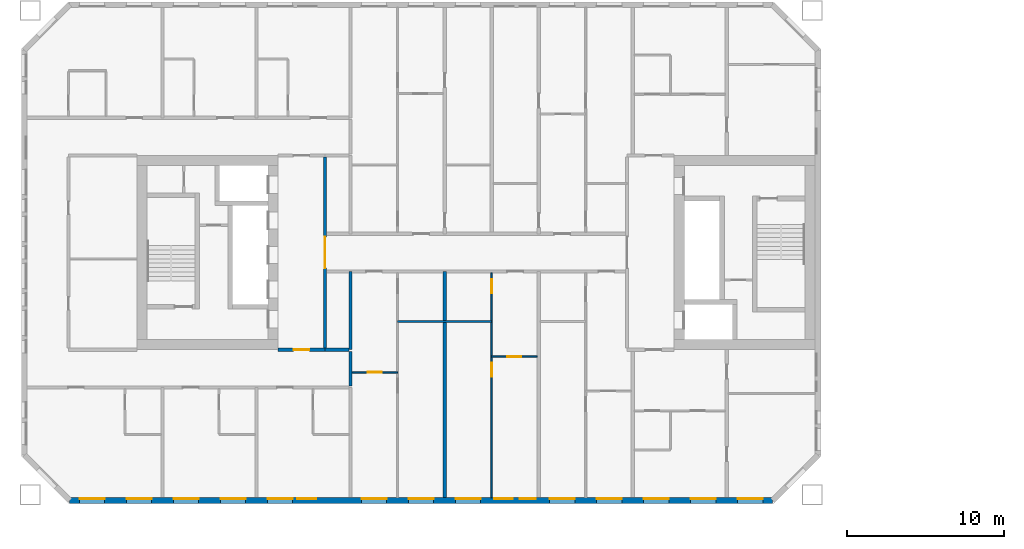
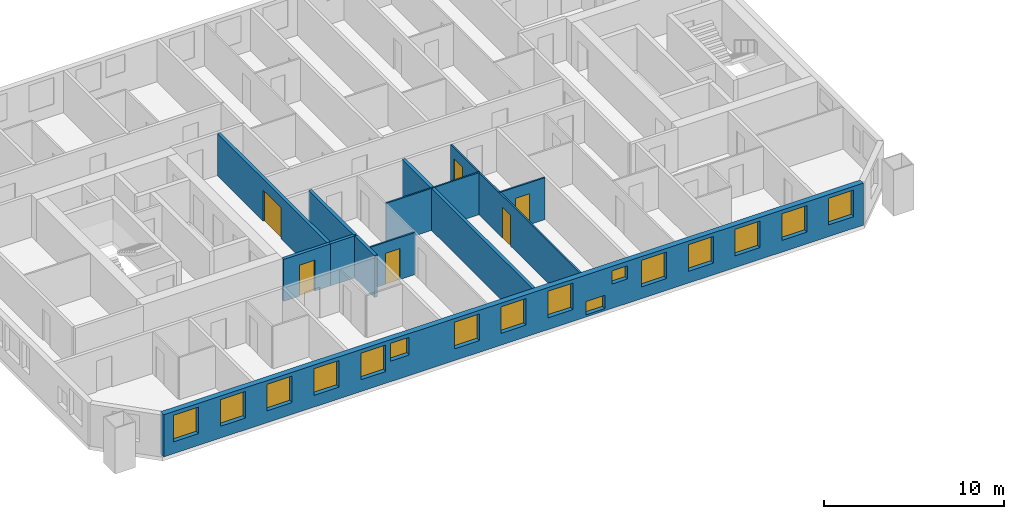
# One storey, part 4 of 17: 16 windows, 11 walls, 6 doors, 22 openings.
"""IFC4 building model written with IfcOpenShell, lengths in metres."""

from ifc_helpers import new_model, si_unit, direction, frame, frame_2d, origin, place, context, subcontext, project, spatial, rectangle, extrude, material, layer, layer_set, type_object, element, fill, save


model = new_model("IFC4")

# Units and contexts
model_context = context("Model", 3, precision=1e-05, world=origin(), true_north=direction((0.0, 1.0)))
body_context = subcontext(model_context, "Body", "Model", "MODEL_VIEW")
ifc_project = project(units=[si_unit("LENGTHUNIT", "METRE"), si_unit("AREAUNIT", "SQUARE_METRE"), si_unit("VOLUMEUNIT", "CUBIC_METRE"), si_unit("PLANEANGLEUNIT", "RADIAN"), si_unit("MASSUNIT", "GRAM", prefix="KILO")], contexts=[model_context])

# Site, building, storey
site_placement = place(None, origin())
site = spatial("IfcSite", under=ifc_project, at=site_placement, CompositionType="ELEMENT")
building_placement = place(site_placement, origin())
building = spatial("IfcBuilding", under=site, at=building_placement, Name="Tuart Gate Housing", CompositionType="ELEMENT")
storey_placement = place(building_placement, frame((0.0, 0.0, 108.800048828125)))
storey = spatial("IfcBuildingStorey", under=building, at=storey_placement, Name="L30", CompositionType="ELEMENT", Elevation=108.800048828125)

# Wall, openings, windows
ifc_material_1 = material(Name="Brick", Category="masonry")
ifc_layer_1 = layer(ifc_material_1, 0.360107421875)
ifc_layer_set_1 = layer_set([ifc_layer_1], Name="Brick pier and spandrel wall 360")
wall_type_1 = type_object("IfcWallType", Name="Brick pier and spandrel wall 360", PredefinedType="STANDARD", material=ifc_layer_set_1)
wall_1_placement = place(storey_placement, frame((28.07470703125, 54.179931640625, 0.0), z_axis=(0.0, 0.0, 1.0), x_axis=(1.0, 0.0, 0.0)))
wall_1 = element("IfcWall", 1, at=wall_1_placement, inside=storey, type_object=wall_type_1, Name="External wall A-S L30", PredefinedType="STANDARD", context=body_context, shape_type="SweptSolid", body=[
    extrude(rectangle(XDim=44.850830078125, YDim=0.360107421875, at=frame_2d((22.42529296875, 0.0))), origin(), (0.0, 0.0, 1.0), 2.849853515625),
])
opening_1_placement = place(wall_1_placement, frame((0.62548828125, 0.0, 0.800048828125)))
opening_1 = element("IfcOpeningElement", 2, at=opening_1_placement, cuts=wall_1, Name="Opening W1", PredefinedType="OPENING", context=body_context, shape_type="SweptSolid", body=[
    extrude(rectangle(XDim=1.60009765625, YDim=1.800048828125, at=frame_2d((0.800048828125, 0.89990234375))), frame((0.0, 0.18994140625, 0.0), z_axis=(0.0, -1.0, 0.0), x_axis=(1.0, 0.0, 0.0)), (0.0, 0.0, 1.0), 0.380126953125),
])
opening_2_placement = place(wall_1_placement, frame((3.62548828125, 0.0, 0.800048828125)))
opening_2 = element("IfcOpeningElement", 3, at=opening_2_placement, cuts=wall_1, Name="Opening W1", PredefinedType="OPENING", context=body_context, shape_type="SweptSolid", body=[
    extrude(rectangle(XDim=1.60009765625, YDim=1.800048828125, at=frame_2d((0.800048828125, 0.89990234375))), frame((0.0, 0.18994140625, 0.0), z_axis=(0.0, -1.0, 0.0), x_axis=(1.0, 0.0, 0.0)), (0.0, 0.0, 1.0), 0.380126953125),
])
opening_3_placement = place(wall_1_placement, frame((6.62548828125, 0.0, 0.800048828125)))
opening_3 = element("IfcOpeningElement", 4, at=opening_3_placement, cuts=wall_1, Name="Opening W1", PredefinedType="OPENING", context=body_context, shape_type="SweptSolid", body=[
    extrude(rectangle(XDim=1.60009765625, YDim=1.800048828125, at=frame_2d((0.800048828125, 0.89990234375))), frame((0.0, 0.18994140625, 0.0), z_axis=(0.0, -1.0, 0.0), x_axis=(1.0, 0.0, 0.0)), (0.0, 0.0, 1.0), 0.380126953125),
])
opening_4_placement = place(wall_1_placement, frame((9.62548828125, 0.0, 0.800048828125)))
opening_4 = element("IfcOpeningElement", 5, at=opening_4_placement, cuts=wall_1, Name="Opening W1", PredefinedType="OPENING", context=body_context, shape_type="SweptSolid", body=[
    extrude(rectangle(XDim=1.60009765625, YDim=1.800048828125, at=frame_2d((0.800048828125, 0.89990234375))), frame((0.0, 0.18994140625, 0.0), z_axis=(0.0, -1.0, 0.0), x_axis=(1.0, 0.0, 0.0)), (0.0, 0.0, 1.0), 0.380126953125),
])
opening_5_placement = place(wall_1_placement, frame((12.62548828125, 0.0, 0.800048828125)))
opening_5 = element("IfcOpeningElement", 6, at=opening_5_placement, cuts=wall_1, Name="Opening W1", PredefinedType="OPENING", context=body_context, shape_type="SweptSolid", body=[
    extrude(rectangle(XDim=1.60009765625, YDim=1.800048828125, at=frame_2d((0.800048828125, 0.89990234375))), frame((0.0, 0.18994140625, 0.0), z_axis=(0.0, -1.0, 0.0), x_axis=(1.0, 0.0, 0.0)), (0.0, 0.0, 1.0), 0.380126953125),
])
opening_6_placement = place(wall_1_placement, frame((14.525390625, 0.0, 1.39990234375)))
opening_6 = element("IfcOpeningElement", 7, at=opening_6_placement, cuts=wall_1, Name="Opening W1N", PredefinedType="OPENING", context=body_context, shape_type="SweptSolid", body=[
    extrude(rectangle(XDim=1.199951171875, YDim=1.199951171875, at=frame_2d((0.60009765625, 0.60009765625))), frame((0.0, 0.18994140625, 0.0), z_axis=(0.0, -1.0, 0.0), x_axis=(1.0, 0.0, 0.0)), (0.0, 0.0, 1.0), 0.380126953125),
])
opening_7_placement = place(wall_1_placement, frame((18.62548828125, 0.0, 0.800048828125)))
opening_7 = element("IfcOpeningElement", 8, at=opening_7_placement, cuts=wall_1, Name="Opening W1", PredefinedType="OPENING", context=body_context, shape_type="SweptSolid", body=[
    extrude(rectangle(XDim=1.60009765625, YDim=1.800048828125, at=frame_2d((0.800048828125, 0.89990234375))), frame((0.0, 0.18994140625, 0.0), z_axis=(0.0, -1.0, 0.0), x_axis=(1.0, 0.0, 0.0)), (0.0, 0.0, 1.0), 0.380126953125),
])
opening_8_placement = place(wall_1_placement, frame((21.62548828125, 0.0, 0.800048828125)))
opening_8 = element("IfcOpeningElement", 9, at=opening_8_placement, cuts=wall_1, Name="Opening W1", PredefinedType="OPENING", context=body_context, shape_type="SweptSolid", body=[
    extrude(rectangle(XDim=1.60009765625, YDim=1.800048828125, at=frame_2d((0.800048828125, 0.89990234375))), frame((0.0, 0.18994140625, 0.0), z_axis=(0.0, -1.0, 0.0), x_axis=(1.0, 0.0, 0.0)), (0.0, 0.0, 1.0), 0.380126953125),
])
opening_9_placement = place(wall_1_placement, frame((24.62548828125, 0.0, 0.800048828125)))
opening_9 = element("IfcOpeningElement", 10, at=opening_9_placement, cuts=wall_1, Name="Opening W1", PredefinedType="OPENING", context=body_context, shape_type="SweptSolid", body=[
    extrude(rectangle(XDim=1.60009765625, YDim=1.800048828125, at=frame_2d((0.800048828125, 0.89990234375))), frame((0.0, 0.18994140625, 0.0), z_axis=(0.0, -1.0, 0.0), x_axis=(1.0, 0.0, 0.0)), (0.0, 0.0, 1.0), 0.380126953125),
])
opening_10_placement = place(wall_1_placement, frame((27.075439453125, 0.0, 0.14990234375)))
opening_10 = element("IfcOpeningElement", 11, at=opening_10_placement, cuts=wall_1, Name="Opening W1T", PredefinedType="OPENING", context=body_context, shape_type="SweptSolid", body=[
    extrude(rectangle(XDim=1.199951171875, YDim=0.89990234375, at=frame_2d((0.60009765625, 0.449951171875))), frame((0.0, 0.18994140625, 0.0), z_axis=(0.0, -1.0, 0.0), x_axis=(1.0, 0.0, 0.0)), (0.0, 0.0, 1.0), 0.380126953125),
])
opening_11_placement = place(wall_1_placement, frame((30.62548828125, 0.0, 0.800048828125)))
opening_11 = element("IfcOpeningElement", 12, at=opening_11_placement, cuts=wall_1, Name="Opening W1", PredefinedType="OPENING", context=body_context, shape_type="SweptSolid", body=[
    extrude(rectangle(XDim=1.60009765625, YDim=1.800048828125, at=frame_2d((0.800048828125, 0.89990234375))), frame((0.0, 0.18994140625, 0.0), z_axis=(0.0, -1.0, 0.0), x_axis=(1.0, 0.0, 0.0)), (0.0, 0.0, 1.0), 0.380126953125),
])
opening_12_placement = place(wall_1_placement, frame((33.62548828125, 0.0, 0.800048828125)))
opening_12 = element("IfcOpeningElement", 13, at=opening_12_placement, cuts=wall_1, Name="Opening W1", PredefinedType="OPENING", context=body_context, shape_type="SweptSolid", body=[
    extrude(rectangle(XDim=1.60009765625, YDim=1.800048828125, at=frame_2d((0.800048828125, 0.89990234375))), frame((0.0, 0.18994140625, 0.0), z_axis=(0.0, -1.0, 0.0), x_axis=(1.0, 0.0, 0.0)), (0.0, 0.0, 1.0), 0.380126953125),
])
opening_13_placement = place(wall_1_placement, frame((36.62548828125, 0.0, 0.800048828125)))
opening_13 = element("IfcOpeningElement", 14, at=opening_13_placement, cuts=wall_1, Name="Opening W1", PredefinedType="OPENING", context=body_context, shape_type="SweptSolid", body=[
    extrude(rectangle(XDim=1.60009765625, YDim=1.800048828125, at=frame_2d((0.800048828125, 0.89990234375))), frame((0.0, 0.18994140625, 0.0), z_axis=(0.0, -1.0, 0.0), x_axis=(1.0, 0.0, 0.0)), (0.0, 0.0, 1.0), 0.380126953125),
])
opening_14_placement = place(wall_1_placement, frame((39.62548828125, 0.0, 0.800048828125)))
opening_14 = element("IfcOpeningElement", 15, at=opening_14_placement, cuts=wall_1, Name="Opening W1", PredefinedType="OPENING", context=body_context, shape_type="SweptSolid", body=[
    extrude(rectangle(XDim=1.60009765625, YDim=1.800048828125, at=frame_2d((0.800048828125, 0.89990234375))), frame((0.0, 0.18994140625, 0.0), z_axis=(0.0, -1.0, 0.0), x_axis=(1.0, 0.0, 0.0)), (0.0, 0.0, 1.0), 0.380126953125),
])
opening_15_placement = place(wall_1_placement, frame((42.62548828125, 0.0, 0.800048828125)))
opening_15 = element("IfcOpeningElement", 16, at=opening_15_placement, cuts=wall_1, Name="Opening W1", PredefinedType="OPENING", context=body_context, shape_type="SweptSolid", body=[
    extrude(rectangle(XDim=1.60009765625, YDim=1.800048828125, at=frame_2d((0.800048828125, 0.89990234375))), frame((0.0, 0.18994140625, 0.0), z_axis=(0.0, -1.0, 0.0), x_axis=(1.0, 0.0, 0.0)), (0.0, 0.0, 1.0), 0.380126953125),
])
opening_16_placement = place(wall_1_placement, frame((28.725341796875, 0.0, 1.64990234375)))
opening_16 = element("IfcOpeningElement", 17, at=opening_16_placement, cuts=wall_1, Name="Opening W1U", PredefinedType="OPENING", context=body_context, shape_type="SweptSolid", body=[
    extrude(rectangle(XDim=1.0, YDim=0.89990234375, at=frame_2d((0.5, 0.449951171875))), frame((0.0, 0.18994140625, 0.0), z_axis=(0.0, -1.0, 0.0), x_axis=(1.0, 0.0, 0.0)), (0.0, 0.0, 1.0), 0.380126953125),
])
ifc_material_2 = material(Name="Aluminium frame with clear glass", Category="aluminium")
window_type_1 = type_object("IfcWindowType", Name="Punched window 1000 x 900", PartitioningType="SINGLE_PANEL", PredefinedType="WINDOW", material=ifc_material_2)
window_1_placement = place(opening_16_placement, origin())
window_1 = element("IfcWindow", 18, at=window_1_placement, inside=storey, type_object=window_type_1, Name="Window W1U", OverallHeight=0.89990234375, OverallWidth=1.0, PartitioningType="SINGLE_PANEL", PredefinedType="WINDOW", context=body_context, shape_type="SweptSolid", body=[
    extrude(rectangle(XDim=1.0, YDim=0.89990234375, at=frame_2d((0.5, 0.449951171875))), frame((0.0, 0.150146484375, 0.0), z_axis=(0.0, -1.0, 0.0), x_axis=(1.0, 0.0, 0.0)), (0.0, 0.0, 1.0), 0.06005859375),
])
fill(opening_16, window_1)
ifc_material_3 = material(Name="Aluminium frame with clear glass", Category="aluminium")
window_type_2 = type_object("IfcWindowType", Name="Punched window 1200 x 1200", PartitioningType="SINGLE_PANEL", PredefinedType="WINDOW", material=ifc_material_3)
window_2_placement = place(opening_6_placement, origin())
window_2 = element("IfcWindow", 19, at=window_2_placement, inside=storey, type_object=window_type_2, Name="Window W1N", OverallHeight=1.199951171875, OverallWidth=1.199951171875, PartitioningType="SINGLE_PANEL", PredefinedType="WINDOW", context=body_context, shape_type="SweptSolid", body=[
    extrude(rectangle(XDim=1.199951171875, YDim=1.199951171875, at=frame_2d((0.60009765625, 0.60009765625))), frame((0.0, 0.150146484375, 0.0), z_axis=(0.0, -1.0, 0.0), x_axis=(1.0, 0.0, 0.0)), (0.0, 0.0, 1.0), 0.06005859375),
])
fill(opening_6, window_2)
ifc_material_4 = material(Name="Aluminium frame with clear glass", Category="aluminium")
window_type_3 = type_object("IfcWindowType", Name="Punched window 1200 x 900", PartitioningType="SINGLE_PANEL", PredefinedType="WINDOW", material=ifc_material_4)
window_3_placement = place(opening_10_placement, origin())
window_3 = element("IfcWindow", 20, at=window_3_placement, inside=storey, type_object=window_type_3, Name="Window W1T", OverallHeight=0.89990234375, OverallWidth=1.199951171875, PartitioningType="SINGLE_PANEL", PredefinedType="WINDOW", context=body_context, shape_type="SweptSolid", body=[
    extrude(rectangle(XDim=1.199951171875, YDim=0.89990234375, at=frame_2d((0.60009765625, 0.449951171875))), frame((0.0, 0.150146484375, 0.0), z_axis=(0.0, -1.0, 0.0), x_axis=(1.0, 0.0, 0.0)), (0.0, 0.0, 1.0), 0.06005859375),
])
fill(opening_10, window_3)
ifc_material_5 = material(Name="Aluminium frame with clear glass", Category="aluminium")
window_type_4 = type_object("IfcWindowType", Name="Punched window 1600 x 1800", PartitioningType="SINGLE_PANEL", PredefinedType="WINDOW", material=ifc_material_5)
window_4_placement = place(opening_1_placement, origin())
window_4 = element("IfcWindow", 21, at=window_4_placement, inside=storey, type_object=window_type_4, Name="Window W1", OverallHeight=1.800048828125, OverallWidth=1.60009765625, PartitioningType="SINGLE_PANEL", PredefinedType="WINDOW", context=body_context, shape_type="SweptSolid", body=[
    extrude(rectangle(XDim=1.60009765625, YDim=1.800048828125, at=frame_2d((0.800048828125, 0.89990234375))), frame((0.0, 0.150146484375, 0.0), z_axis=(0.0, -1.0, 0.0), x_axis=(1.0, 0.0, 0.0)), (0.0, 0.0, 1.0), 0.06005859375),
])
fill(opening_1, window_4)
window_5_placement = place(opening_2_placement, origin())
window_5 = element("IfcWindow", 22, at=window_5_placement, inside=storey, type_object=window_type_4, Name="Window W1", OverallHeight=1.800048828125, OverallWidth=1.60009765625, PartitioningType="SINGLE_PANEL", PredefinedType="WINDOW", context=body_context, shape_type="SweptSolid", body=[
    extrude(rectangle(XDim=1.60009765625, YDim=1.800048828125, at=frame_2d((0.800048828125, 0.89990234375))), frame((0.0, 0.150146484375, 0.0), z_axis=(0.0, -1.0, 0.0), x_axis=(1.0, 0.0, 0.0)), (0.0, 0.0, 1.0), 0.06005859375),
])
fill(opening_2, window_5)
window_6_placement = place(opening_3_placement, origin())
window_6 = element("IfcWindow", 23, at=window_6_placement, inside=storey, type_object=window_type_4, Name="Window W1", OverallHeight=1.800048828125, OverallWidth=1.60009765625, PartitioningType="SINGLE_PANEL", PredefinedType="WINDOW", context=body_context, shape_type="SweptSolid", body=[
    extrude(rectangle(XDim=1.60009765625, YDim=1.800048828125, at=frame_2d((0.800048828125, 0.89990234375))), frame((0.0, 0.150146484375, 0.0), z_axis=(0.0, -1.0, 0.0), x_axis=(1.0, 0.0, 0.0)), (0.0, 0.0, 1.0), 0.06005859375),
])
fill(opening_3, window_6)
window_7_placement = place(opening_4_placement, origin())
window_7 = element("IfcWindow", 24, at=window_7_placement, inside=storey, type_object=window_type_4, Name="Window W1", OverallHeight=1.800048828125, OverallWidth=1.60009765625, PartitioningType="SINGLE_PANEL", PredefinedType="WINDOW", context=body_context, shape_type="SweptSolid", body=[
    extrude(rectangle(XDim=1.60009765625, YDim=1.800048828125, at=frame_2d((0.800048828125, 0.89990234375))), frame((0.0, 0.150146484375, 0.0), z_axis=(0.0, -1.0, 0.0), x_axis=(1.0, 0.0, 0.0)), (0.0, 0.0, 1.0), 0.06005859375),
])
fill(opening_4, window_7)
window_8_placement = place(opening_5_placement, origin())
window_8 = element("IfcWindow", 25, at=window_8_placement, inside=storey, type_object=window_type_4, Name="Window W1", OverallHeight=1.800048828125, OverallWidth=1.60009765625, PartitioningType="SINGLE_PANEL", PredefinedType="WINDOW", context=body_context, shape_type="SweptSolid", body=[
    extrude(rectangle(XDim=1.60009765625, YDim=1.800048828125, at=frame_2d((0.800048828125, 0.89990234375))), frame((0.0, 0.150146484375, 0.0), z_axis=(0.0, -1.0, 0.0), x_axis=(1.0, 0.0, 0.0)), (0.0, 0.0, 1.0), 0.06005859375),
])
fill(opening_5, window_8)
window_9_placement = place(opening_7_placement, origin())
window_9 = element("IfcWindow", 26, at=window_9_placement, inside=storey, type_object=window_type_4, Name="Window W1", OverallHeight=1.800048828125, OverallWidth=1.60009765625, PartitioningType="SINGLE_PANEL", PredefinedType="WINDOW", context=body_context, shape_type="SweptSolid", body=[
    extrude(rectangle(XDim=1.60009765625, YDim=1.800048828125, at=frame_2d((0.800048828125, 0.89990234375))), frame((0.0, 0.150146484375, 0.0), z_axis=(0.0, -1.0, 0.0), x_axis=(1.0, 0.0, 0.0)), (0.0, 0.0, 1.0), 0.06005859375),
])
fill(opening_7, window_9)
window_10_placement = place(opening_8_placement, origin())
window_10 = element("IfcWindow", 27, at=window_10_placement, inside=storey, type_object=window_type_4, Name="Window W1", OverallHeight=1.800048828125, OverallWidth=1.60009765625, PartitioningType="SINGLE_PANEL", PredefinedType="WINDOW", context=body_context, shape_type="SweptSolid", body=[
    extrude(rectangle(XDim=1.60009765625, YDim=1.800048828125, at=frame_2d((0.800048828125, 0.89990234375))), frame((0.0, 0.150146484375, 0.0), z_axis=(0.0, -1.0, 0.0), x_axis=(1.0, 0.0, 0.0)), (0.0, 0.0, 1.0), 0.06005859375),
])
fill(opening_8, window_10)
window_11_placement = place(opening_9_placement, origin())
window_11 = element("IfcWindow", 28, at=window_11_placement, inside=storey, type_object=window_type_4, Name="Window W1", OverallHeight=1.800048828125, OverallWidth=1.60009765625, PartitioningType="SINGLE_PANEL", PredefinedType="WINDOW", context=body_context, shape_type="SweptSolid", body=[
    extrude(rectangle(XDim=1.60009765625, YDim=1.800048828125, at=frame_2d((0.800048828125, 0.89990234375))), frame((0.0, 0.150146484375, 0.0), z_axis=(0.0, -1.0, 0.0), x_axis=(1.0, 0.0, 0.0)), (0.0, 0.0, 1.0), 0.06005859375),
])
fill(opening_9, window_11)
window_12_placement = place(opening_11_placement, origin())
window_12 = element("IfcWindow", 29, at=window_12_placement, inside=storey, type_object=window_type_4, Name="Window W1", OverallHeight=1.800048828125, OverallWidth=1.60009765625, PartitioningType="SINGLE_PANEL", PredefinedType="WINDOW", context=body_context, shape_type="SweptSolid", body=[
    extrude(rectangle(XDim=1.60009765625, YDim=1.800048828125, at=frame_2d((0.800048828125, 0.89990234375))), frame((0.0, 0.150146484375, 0.0), z_axis=(0.0, -1.0, 0.0), x_axis=(1.0, 0.0, 0.0)), (0.0, 0.0, 1.0), 0.06005859375),
])
fill(opening_11, window_12)
window_13_placement = place(opening_12_placement, origin())
window_13 = element("IfcWindow", 30, at=window_13_placement, inside=storey, type_object=window_type_4, Name="Window W1", OverallHeight=1.800048828125, OverallWidth=1.60009765625, PartitioningType="SINGLE_PANEL", PredefinedType="WINDOW", context=body_context, shape_type="SweptSolid", body=[
    extrude(rectangle(XDim=1.60009765625, YDim=1.800048828125, at=frame_2d((0.800048828125, 0.89990234375))), frame((0.0, 0.150146484375, 0.0), z_axis=(0.0, -1.0, 0.0), x_axis=(1.0, 0.0, 0.0)), (0.0, 0.0, 1.0), 0.06005859375),
])
fill(opening_12, window_13)
window_14_placement = place(opening_13_placement, origin())
window_14 = element("IfcWindow", 31, at=window_14_placement, inside=storey, type_object=window_type_4, Name="Window W1", OverallHeight=1.800048828125, OverallWidth=1.60009765625, PartitioningType="SINGLE_PANEL", PredefinedType="WINDOW", context=body_context, shape_type="SweptSolid", body=[
    extrude(rectangle(XDim=1.60009765625, YDim=1.800048828125, at=frame_2d((0.800048828125, 0.89990234375))), frame((0.0, 0.150146484375, 0.0), z_axis=(0.0, -1.0, 0.0), x_axis=(1.0, 0.0, 0.0)), (0.0, 0.0, 1.0), 0.06005859375),
])
fill(opening_13, window_14)
window_15_placement = place(opening_14_placement, origin())
window_15 = element("IfcWindow", 32, at=window_15_placement, inside=storey, type_object=window_type_4, Name="Window W1", OverallHeight=1.800048828125, OverallWidth=1.60009765625, PartitioningType="SINGLE_PANEL", PredefinedType="WINDOW", context=body_context, shape_type="SweptSolid", body=[
    extrude(rectangle(XDim=1.60009765625, YDim=1.800048828125, at=frame_2d((0.800048828125, 0.89990234375))), frame((0.0, 0.150146484375, 0.0), z_axis=(0.0, -1.0, 0.0), x_axis=(1.0, 0.0, 0.0)), (0.0, 0.0, 1.0), 0.06005859375),
])
fill(opening_14, window_15)
window_16_placement = place(opening_15_placement, origin())
window_16 = element("IfcWindow", 33, at=window_16_placement, inside=storey, type_object=window_type_4, Name="Window W1", OverallHeight=1.800048828125, OverallWidth=1.60009765625, PartitioningType="SINGLE_PANEL", PredefinedType="WINDOW", context=body_context, shape_type="SweptSolid", body=[
    extrude(rectangle(XDim=1.60009765625, YDim=1.800048828125, at=frame_2d((0.800048828125, 0.89990234375))), frame((0.0, 0.150146484375, 0.0), z_axis=(0.0, -1.0, 0.0), x_axis=(1.0, 0.0, 0.0)), (0.0, 0.0, 1.0), 0.06005859375),
])
fill(opening_15, window_16)

# Walls
ifc_material_6 = material(Name="Concrete masonry 15 MPa", Category="masonry")
ifc_layer_2 = layer(ifc_material_6, 0.199951171875)
ifc_layer_set_2 = layer_set([ifc_layer_2], Name="Corridor wall masonry 200")
wall_type_2 = type_object("IfcWallType", Name="Corridor wall masonry 200", PredefinedType="PARTITIONING", material=ifc_layer_set_2)
wall_2_placement = place(storey_placement, frame((44.360107421875, 63.800048828125, 0.0), z_axis=(0.0, 0.0, 1.0), x_axis=(1.0, 0.0, 0.0)))
element("IfcWall", 34, at=wall_2_placement, inside=storey, type_object=wall_type_2, Name="Corridor wall masonry 200", PredefinedType="PARTITIONING", context=body_context, shape_type="SweptSolid", body=[
    extrude(rectangle(XDim=1.539794921875, YDim=0.199951171875, at=frame_2d((0.77001953125, 0.0))), origin(), (0.0, 0.0, 1.0), 2.849853515625),
])
wall_3_placement = place(storey_placement, frame((46.0, 61.5, 0.0), z_axis=(0.0, 0.0, 1.0), x_axis=(0.0, 1.0, 0.0)))
element("IfcWall", 35, at=wall_3_placement, inside=storey, type_object=wall_type_2, Name="Corridor wall masonry 200", PredefinedType="PARTITIONING", context=body_context, shape_type="SweptSolid", body=[
    extrude(rectangle(XDim=2.199951171875, YDim=0.199951171875, at=frame_2d((1.10009765625, 0.0))), origin(), (0.0, 0.0, 1.0), 2.849853515625),
])

# Wall, opening, door
ifc_material_7 = material(Name="Concrete masonry 15 MPa", Category="masonry")
ifc_layer_3 = layer(ifc_material_7, 0.199951171875)
ifc_layer_set_3 = layer_set([ifc_layer_3], Name="Enclosure wall masonry 200")
wall_type_3 = type_object("IfcWallType", Name="Enclosure wall masonry 200", PredefinedType="PARTITIONING", material=ifc_layer_set_3)
wall_4_placement = place(storey_placement, frame((41.360107421875, 63.800048828125, 0.0), z_axis=(0.0, 0.0, 1.0), x_axis=(1.0, 0.0, 0.0)))
wall_4 = element("IfcWall", 36, at=wall_4_placement, inside=storey, type_object=wall_type_3, Name="Enclosure wall masonry 200", PredefinedType="PARTITIONING", context=body_context, shape_type="SweptSolid", body=[
    extrude(rectangle(XDim=3.0, YDim=0.199951171875, at=frame_2d((1.5, 0.0))), origin(), (0.0, 0.0, 1.0), 2.849853515625),
])
opening_17_placement = place(wall_4_placement, frame((1.0, 0.0, 0.0)))
opening_17 = element("IfcOpeningElement", 37, at=opening_17_placement, cuts=wall_4, Name="Opening D1216", PredefinedType="OPENING", context=body_context, shape_type="SweptSolid", body=[
    extrude(rectangle(XDim=1.0, YDim=2.10009765625, at=frame_2d((0.5, 1.050048828125))), frame((0.0, 0.10986328125, 0.0), z_axis=(0.0, -1.0, 0.0), x_axis=(1.0, 0.0, 0.0)), (0.0, 0.0, 1.0), 0.219970703125),
])
ifc_material_8 = material(Name="Timber door leaf in steel frame", Category="steel")
door_type_1 = type_object("IfcDoorType", Name="Fire door 1000", OperationType="SINGLE_SWING_LEFT", PredefinedType="DOOR", material=ifc_material_8)
door_1_placement = place(opening_17_placement, frame((1.0, 0.0, 0.0), z_axis=(0.0, 0.0, 1.0), x_axis=(-1.0, 0.0, 0.0)))
door_1 = element("IfcDoor", 38, at=door_1_placement, inside=storey, type_object=door_type_1, Name="Fire door", OperationType="SINGLE_SWING_LEFT", OverallHeight=2.10009765625, OverallWidth=1.0, PredefinedType="DOOR", context=body_context, shape_type="SweptSolid", body=[
    extrude(rectangle(XDim=1.0, YDim=2.10009765625, at=frame_2d((0.5, 1.050048828125))), frame((0.0, 0.025146484375, 0.0), z_axis=(0.0, -1.0, 0.0), x_axis=(1.0, 0.0, 0.0)), (0.0, 0.0, 1.0), 0.050048828125),
])
fill(opening_17, door_1)

ifc_material_9 = material(Name="Plasterboard partition")
ifc_layer_4 = layer(ifc_material_9, 0.199951171875)
ifc_layer_set_4 = layer_set([ifc_layer_4], Name="Lobby wall 200")
wall_type_4 = type_object("IfcWallType", Name="Lobby wall 200", PredefinedType="PARTITIONING", material=ifc_layer_set_4)
wall_5_placement = place(storey_placement, frame((44.360107421875, 63.89990234375, 0.0), z_axis=(0.0, 0.0, 1.0), x_axis=(0.0, 1.0, 0.0)))
wall_5 = element("IfcWall", 39, at=wall_5_placement, inside=storey, type_object=wall_type_4, Name="Lift lobby wall AK", PredefinedType="PARTITIONING", context=body_context, shape_type="SweptSolid", body=[
    extrude(rectangle(XDim=12.2001953125, YDim=0.199951171875, at=frame_2d((6.10009765625, 0.0))), origin(), (0.0, 0.0, 1.0), 2.849853515625),
])
opening_18_placement = place(wall_5_placement, frame((5.10009765625, 0.0, 0.0)))
opening_18 = element("IfcOpeningElement", 40, at=opening_18_placement, cuts=wall_5, Name="Opening D1208", PredefinedType="OPENING", context=body_context, shape_type="SweptSolid", body=[
    extrude(rectangle(XDim=2.0, YDim=2.10009765625, at=frame_2d((1.0, 1.050048828125))), frame((0.0, 0.10986328125, 0.0), z_axis=(0.0, -1.0, 0.0), x_axis=(1.0, 0.0, 0.0)), (0.0, 0.0, 1.0), 0.219970703125),
])
ifc_material_10 = material(Name="Steel fire door", Category="steel")
door_type_2 = type_object("IfcDoorType", Name="Smoke door 2000 x 2100", OperationType="DOUBLE_DOOR_SINGLE_SWING", PredefinedType="DOOR", material=ifc_material_10)
door_2_placement = place(opening_18_placement, origin())
door_2 = element("IfcDoor", 41, at=door_2_placement, inside=storey, type_object=door_type_2, Name="Lift lobby smoke door AK", OperationType="DOUBLE_DOOR_SINGLE_SWING", OverallHeight=2.10009765625, OverallWidth=2.0, PredefinedType="DOOR", context=body_context, shape_type="SweptSolid", body=[
    extrude(rectangle(XDim=2.0, YDim=2.10009765625, at=frame_2d((1.0, 1.050048828125))), frame((0.0, 0.02490234375, 0.0), z_axis=(0.0, -1.0, 0.0), x_axis=(1.0, 0.0, 0.0)), (0.0, 0.0, 1.0), 0.050048828125),
])
fill(opening_18, door_2)

ifc_material_11 = material(Name="Gypsum board on steel studs", Category="steel")
ifc_layer_5 = layer(ifc_material_11, 0.10009765625)
ifc_layer_set_5 = layer_set([ifc_layer_5], Name="Partition 100")
wall_type_5 = type_object("IfcWallType", Name="Partition 100", PredefinedType="PARTITIONING", material=ifc_layer_set_5)
wall_6_placement = place(storey_placement, frame((46.10009765625, 62.360107421875, 0.0), z_axis=(0.0, 0.0, 1.0), x_axis=(1.0, 0.0, 0.0)))
wall_6 = element("IfcWall", 42, at=wall_6_placement, inside=storey, type_object=wall_type_5, Name="Partition 100", PredefinedType="PARTITIONING", context=body_context, shape_type="SweptSolid", body=[
    extrude(rectangle(XDim=2.89990234375, YDim=0.10009765625, at=frame_2d((1.449951171875, 0.0))), origin(), (0.0, 0.0, 1.0), 2.849853515625),
])
opening_19_placement = place(wall_6_placement, frame((1.0, 0.0, 0.0)))
opening_19 = element("IfcOpeningElement", 43, at=opening_19_placement, cuts=wall_6, Name="Opening D1219", PredefinedType="OPENING", context=body_context, shape_type="SweptSolid", body=[
    extrude(rectangle(XDim=0.89990234375, YDim=2.10009765625, at=frame_2d((0.449951171875, 1.050048828125))), frame((0.0, 0.06005859375, 0.0), z_axis=(0.0, -1.0, 0.0), x_axis=(1.0, 0.0, 0.0)), (0.0, 0.0, 1.0), 0.1201171875),
])
ifc_material_12 = material(Name="Timber door leaf in steel frame", Category="steel")
door_type_3 = type_object("IfcDoorType", Name="Internal door 900 RH", OperationType="SINGLE_SWING_RIGHT", PredefinedType="DOOR", material=ifc_material_12)
door_3_placement = place(opening_19_placement, origin())
door_3 = element("IfcDoor", 44, at=door_3_placement, inside=storey, type_object=door_type_3, Name="Internal door", OperationType="SINGLE_SWING_RIGHT", OverallHeight=2.10009765625, OverallWidth=0.89990234375, PredefinedType="DOOR", context=body_context, shape_type="SweptSolid", body=[
    extrude(rectangle(XDim=0.89990234375, YDim=2.10009765625, at=frame_2d((0.449951171875, 1.050048828125))), frame((0.0, 0.02490234375, 0.0), z_axis=(0.0, -1.0, 0.0), x_axis=(1.0, 0.0, 0.0)), (0.0, 0.0, 1.0), 0.050048828125),
])
fill(opening_19, door_3)

wall_7_placement = place(storey_placement, frame((55.0, 63.360107421875, 0.0), z_axis=(0.0, 0.0, 1.0), x_axis=(1.0, 0.0, 0.0)))
wall_7 = element("IfcWall", 45, at=wall_7_placement, inside=storey, type_object=wall_type_5, Name="Partition 100", PredefinedType="PARTITIONING", context=body_context, shape_type="SweptSolid", body=[
    extrude(rectangle(XDim=2.89990234375, YDim=0.10009765625, at=frame_2d((1.449951171875, 0.0))), origin(), (0.0, 0.0, 1.0), 2.849853515625),
])
opening_20_placement = place(wall_7_placement, frame((1.0, 0.0, 0.0)))
opening_20 = element("IfcOpeningElement", 46, at=opening_20_placement, cuts=wall_7, Name="Opening D1218", PredefinedType="OPENING", context=body_context, shape_type="SweptSolid", body=[
    extrude(rectangle(XDim=0.89990234375, YDim=2.10009765625, at=frame_2d((0.449951171875, 1.050048828125))), frame((0.0, 0.06005859375, 0.0), z_axis=(0.0, -1.0, 0.0), x_axis=(1.0, 0.0, 0.0)), (0.0, 0.0, 1.0), 0.1201171875),
])
ifc_material_13 = material(Name="Timber door leaf in steel frame", Category="steel")
door_type_4 = type_object("IfcDoorType", Name="Internal door 900", OperationType="SINGLE_SWING_LEFT", PredefinedType="DOOR", material=ifc_material_13)
door_4_placement = place(opening_20_placement, origin())
door_4 = element("IfcDoor", 47, at=door_4_placement, inside=storey, type_object=door_type_4, Name="Internal door", OperationType="SINGLE_SWING_LEFT", OverallHeight=2.10009765625, OverallWidth=0.89990234375, PredefinedType="DOOR", context=body_context, shape_type="SweptSolid", body=[
    extrude(rectangle(XDim=0.89990234375, YDim=2.10009765625, at=frame_2d((0.449951171875, 1.050048828125))), frame((0.0, 0.02490234375, 0.0), z_axis=(0.0, -1.0, 0.0), x_axis=(1.0, 0.0, 0.0)), (0.0, 0.0, 1.0), 0.050048828125),
])
fill(opening_20, door_4)

# Wall
wall_8_placement = place(storey_placement, frame((49.0, 65.60009765625, 0.0), z_axis=(0.0, 0.0, 1.0), x_axis=(1.0, 0.0, 0.0)))
element("IfcWall", 48, at=wall_8_placement, inside=storey, type_object=wall_type_5, Name="Partition 100", PredefinedType="PARTITIONING", context=body_context, shape_type="SweptSolid", body=[
    extrude(rectangle(XDim=6.0, YDim=0.10009765625, at=frame_2d((3.0, 0.0))), origin(), (0.0, 0.0, 1.0), 2.849853515625),
])

# Wall, openings, doors
wall_9_placement = place(storey_placement, frame((55.0, 54.360107421875, 0.0), z_axis=(0.0, 0.0, 1.0), x_axis=(0.0, 1.0, 0.0)))
wall_9 = element("IfcWall", 49, at=wall_9_placement, inside=storey, type_object=wall_type_5, Name="Partition 100", PredefinedType="PARTITIONING", context=body_context, shape_type="SweptSolid", body=[
    extrude(rectangle(XDim=14.33984375, YDim=0.10009765625, at=frame_2d((7.169921875, 0.0))), origin(), (0.0, 0.0, 1.0), 2.849853515625),
])
opening_21_placement = place(wall_9_placement, frame((7.699951171875, 0.0, 0.0)))
opening_21 = element("IfcOpeningElement", 50, at=opening_21_placement, cuts=wall_9, Name="Opening D1223", PredefinedType="OPENING", context=body_context, shape_type="SweptSolid", body=[
    extrude(rectangle(XDim=0.89990234375, YDim=2.10009765625, at=frame_2d((0.449951171875, 1.050048828125))), frame((0.0, 0.06005859375, 0.0), z_axis=(0.0, -1.0, 0.0), x_axis=(1.0, 0.0, 0.0)), (0.0, 0.0, 1.0), 0.1201171875),
])
opening_22_placement = place(wall_9_placement, frame((13.0400390625, 0.0, 0.0)))
opening_22 = element("IfcOpeningElement", 51, at=opening_22_placement, cuts=wall_9, Name="Opening D1222", PredefinedType="OPENING", context=body_context, shape_type="SweptSolid", body=[
    extrude(rectangle(XDim=0.89990234375, YDim=2.10009765625, at=frame_2d((0.449951171875, 1.050048828125))), frame((0.0, 0.06005859375, 0.0), z_axis=(0.0, -1.0, 0.0), x_axis=(1.0, 0.0, 0.0)), (0.0, 0.0, 1.0), 0.1201171875),
])
ifc_material_14 = material(Name="Timber door leaf in steel frame", Category="steel")
door_type_5 = type_object("IfcDoorType", Name="Bathroom door 900 RH", OperationType="SINGLE_SWING_RIGHT", PredefinedType="DOOR", material=ifc_material_14)
door_5_placement = place(opening_22_placement, origin())
door_5 = element("IfcDoor", 52, at=door_5_placement, inside=storey, type_object=door_type_5, Name="Bathroom door", OperationType="SINGLE_SWING_RIGHT", OverallHeight=2.10009765625, OverallWidth=0.89990234375, PredefinedType="DOOR", context=body_context, shape_type="SweptSolid", body=[
    extrude(rectangle(XDim=0.89990234375, YDim=2.10009765625, at=frame_2d((0.449951171875, 1.050048828125))), frame((0.0, 0.02490234375, 0.0), z_axis=(0.0, -1.0, 0.0), x_axis=(1.0, 0.0, 0.0)), (0.0, 0.0, 1.0), 0.050048828125),
])
fill(opening_22, door_5)
door_6_placement = place(opening_21_placement, origin())
door_6 = element("IfcDoor", 53, at=door_6_placement, inside=storey, type_object=door_type_3, Name="Internal door", OperationType="SINGLE_SWING_RIGHT", OverallHeight=2.10009765625, OverallWidth=0.89990234375, PredefinedType="DOOR", context=body_context, shape_type="SweptSolid", body=[
    extrude(rectangle(XDim=0.89990234375, YDim=2.10009765625, at=frame_2d((0.449951171875, 1.050048828125))), frame((0.0, 0.02490234375, 0.0), z_axis=(0.0, -1.0, 0.0), x_axis=(1.0, 0.0, 0.0)), (0.0, 0.0, 1.0), 0.050048828125),
])
fill(opening_21, door_6)

# Walls
ifc_material_15 = material(Name="Concrete C40", Category="concrete")
ifc_layer_6 = layer(ifc_material_15, 0.199951171875)
ifc_layer_set_6 = layer_set([ifc_layer_6], Name="Party wall concrete C40 200")
wall_type_6 = type_object("IfcWallType", Name="Party wall concrete C40 200", PredefinedType="SOLIDWALL", material=ifc_layer_set_6)
wall_10_placement = place(storey_placement, frame((46.0, 63.800048828125, 0.0), z_axis=(0.0, 0.0, 1.0), x_axis=(0.0, 1.0, 0.0)))
element("IfcWall", 54, at=wall_10_placement, inside=storey, type_object=wall_type_6, Name="Party wall concrete C40 200", PredefinedType="SOLIDWALL", context=body_context, shape_type="SweptSolid", body=[
    extrude(rectangle(XDim=5.0, YDim=0.199951171875, at=frame_2d((2.5, 0.0))), origin(), (0.0, 0.0, 1.0), 2.849853515625),
])
wall_11_placement = place(storey_placement, frame((52.0, 54.360107421875, 0.0), z_axis=(0.0, 0.0, 1.0), x_axis=(0.0, 1.0, 0.0)))
element("IfcWall", 55, at=wall_11_placement, inside=storey, type_object=wall_type_6, Name="Party wall concrete C40 200", PredefinedType="SOLIDWALL", context=body_context, shape_type="SweptSolid", body=[
    extrude(rectangle(XDim=14.43994140625, YDim=0.199951171875, at=frame_2d((7.219970703125, 0.0))), origin(), (0.0, 0.0, 1.0), 2.849853515625),
])

save(model, "model.ifc")
